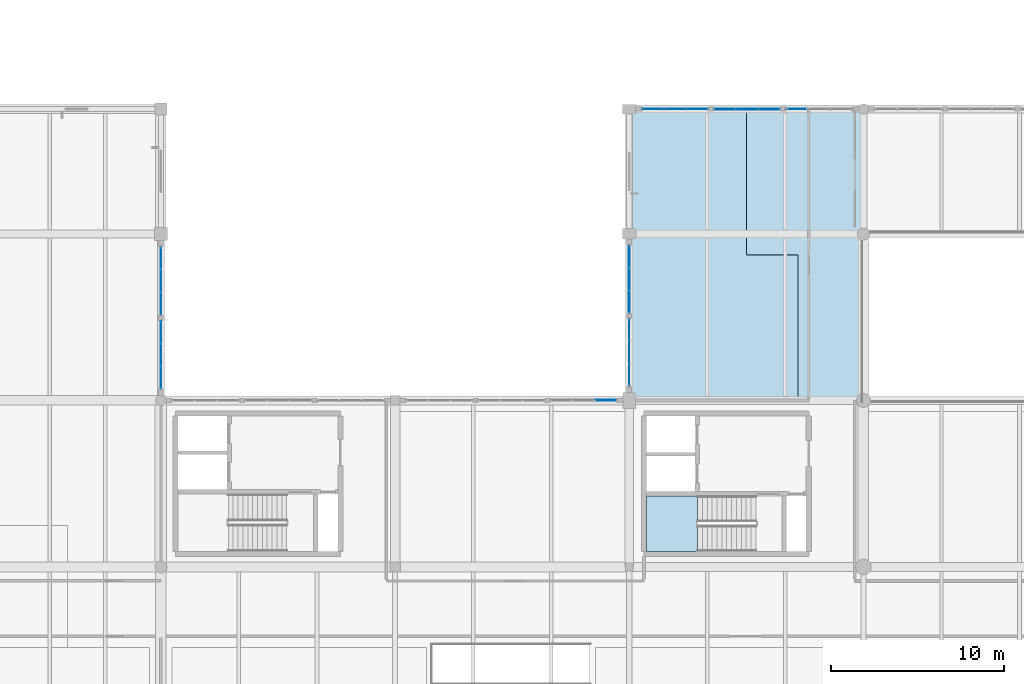
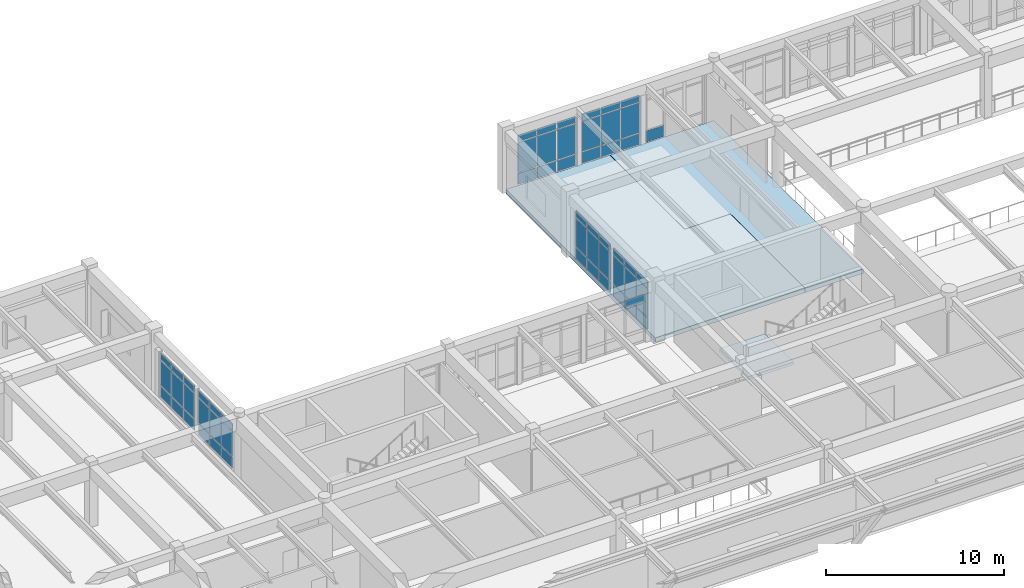
# One storey, part 70 of 109: 56 plates, 3 slabs, 9 elements without a shape of their own.
"""IFC4 building model written with IfcOpenShell, lengths in metres."""

from ifc_helpers import new_model, si_unit, direction, frame, origin, origin_2d, place, context, subcontext, project, spatial, polyline, rectangle, outline, extrude, material, layer, layer_set, type_object, element, aggregate, save


model = new_model("IFC4")

# Units and contexts
model_context = context("Model", 3, precision=1e-05, world=origin(), true_north=direction((0.0, 1.0)))
body_context = subcontext(model_context, "Body", "Model", "MODEL_VIEW")
ifc_project = project(units=[si_unit("LENGTHUNIT", "METRE"), si_unit("AREAUNIT", "SQUARE_METRE"), si_unit("VOLUMEUNIT", "CUBIC_METRE"), si_unit("PLANEANGLEUNIT", "RADIAN"), si_unit("MASSUNIT", "GRAM", prefix="KILO")], contexts=[model_context])

# Site, building, storey
site_placement = place(None, origin())
site = spatial("IfcSite", under=ifc_project, at=site_placement, CompositionType="ELEMENT")
building_placement = place(site_placement, origin())
building = spatial("IfcBuilding", under=site, at=building_placement, Name="Fikremerkos Civic Library", CompositionType="ELEMENT")
storey_placement = place(building_placement, frame((0.0, 0.0, 5.39990234375)))
storey = spatial("IfcBuildingStorey", under=building, at=storey_placement, Name="L01", CompositionType="ELEMENT", Elevation=5.39990234375)

# Curtain wall, plates
ifc_material_1 = material(Name="Anodized aluminium Frame", Category="aluminium")
ifc_layer_1 = layer(ifc_material_1, 0.159912109375, Name="Anodized aluminium Frame")
ifc_layer_set_1 = layer_set([ifc_layer_1], Name="Anodized aluminium Frame")
curtain_wall_type_1 = type_object("IfcCurtainWallType", Name="Unitised curtain wall CW-01 3600x3600", PredefinedType="USERDEFINED", material=ifc_layer_set_1)
curtain_wall_1_placement = place(storey_placement, origin())
curtain_wall_1 = element("IfcCurtainWall", 1, at=curtain_wall_1_placement, inside=storey, type_object=curtain_wall_type_1, Name="Unitised curtain wall CW-01 L01 #73", ObjectType="UNITISED CURTAIN WALL", PredefinedType="USERDEFINED")
ifc_material_2 = material(Name="Solar control double glazing", Category="glass")
ifc_layer_2 = layer(ifc_material_2, 0.028076171875, Name="Solar control double glazing")
ifc_layer_set_2 = layer_set([ifc_layer_2], Name="Solar control double glazing")
plate_type_1 = type_object("IfcPlateType", Name="Curtain glazing panel CWP-01 28", PredefinedType="CURTAIN_PANEL", material=ifc_layer_set_2)
plate_1_placement = place(storey_placement, frame((19.199951171875, 39.39990234375, 0.070068359375), z_axis=(0.0, 0.0, 1.0), x_axis=(0.0, -1.0, 0.0)))
plate_1 = element("IfcPlate", 2, at=plate_1_placement, type_object=plate_type_1, Name="CW-01 panel 1.1", PredefinedType="CURTAIN_PANEL", context=body_context, shape_type="SweptSolid", body=[
    extrude(rectangle(XDim=1.22412109375, YDim=0.028076171875, at=origin_2d()), origin(), (0.0, 0.0, 1.0), 0.7451171875),
])
plate_2_placement = place(storey_placement, frame((19.199951171875, 39.39990234375, 0.88525390625), z_axis=(0.0, 0.0, 1.0), x_axis=(0.0, -1.0, 0.0)))
plate_2 = element("IfcPlate", 3, at=plate_2_placement, type_object=plate_type_1, Name="CW-01 panel 1.2", PredefinedType="CURTAIN_PANEL", context=body_context, shape_type="SweptSolid", body=[
    extrude(rectangle(XDim=1.22412109375, YDim=0.028076171875, at=origin_2d()), origin(), (0.0, 0.0, 1.0), 1.699951171875),
])
plate_3_placement = place(storey_placement, frame((19.199951171875, 39.39990234375, 2.6552734375), z_axis=(0.0, 0.0, 1.0), x_axis=(0.0, -1.0, 0.0)))
plate_3 = element("IfcPlate", 4, at=plate_3_placement, type_object=plate_type_1, Name="CW-01 panel 1.3", PredefinedType="CURTAIN_PANEL", context=body_context, shape_type="SweptSolid", body=[
    extrude(rectangle(XDim=1.22412109375, YDim=0.028076171875, at=origin_2d()), origin(), (0.0, 0.0, 1.0), 0.445068359375),
])
plate_4_placement = place(storey_placement, frame((19.199951171875, 38.0947265625, 0.070068359375), z_axis=(0.0, 0.0, 1.0), x_axis=(0.0, -1.0, 0.0)))
plate_4 = element("IfcPlate", 5, at=plate_4_placement, type_object=plate_type_1, Name="CW-01 panel 2.1", PredefinedType="CURTAIN_PANEL", context=body_context, shape_type="SweptSolid", body=[
    extrude(rectangle(XDim=1.256591796875, YDim=0.028076171875, at=origin_2d()), origin(), (0.0, 0.0, 1.0), 0.7451171875),
])
plate_5_placement = place(storey_placement, frame((19.199951171875, 38.0947265625, 0.88525390625), z_axis=(0.0, 0.0, 1.0), x_axis=(0.0, -1.0, 0.0)))
plate_5 = element("IfcPlate", 6, at=plate_5_placement, type_object=plate_type_1, Name="CW-01 panel 2.2", PredefinedType="CURTAIN_PANEL", context=body_context, shape_type="SweptSolid", body=[
    extrude(rectangle(XDim=1.256591796875, YDim=0.028076171875, at=origin_2d()), origin(), (0.0, 0.0, 1.0), 1.699951171875),
])
plate_6_placement = place(storey_placement, frame((19.199951171875, 38.0947265625, 2.6552734375), z_axis=(0.0, 0.0, 1.0), x_axis=(0.0, -1.0, 0.0)))
plate_6 = element("IfcPlate", 7, at=plate_6_placement, type_object=plate_type_1, Name="CW-01 panel 2.3", PredefinedType="CURTAIN_PANEL", context=body_context, shape_type="SweptSolid", body=[
    extrude(rectangle(XDim=1.256591796875, YDim=0.028076171875, at=origin_2d()), origin(), (0.0, 0.0, 1.0), 0.445068359375),
])
plate_7_placement = place(storey_placement, frame((19.199951171875, 36.78955078125, 0.070068359375), z_axis=(0.0, 0.0, 1.0), x_axis=(0.0, -1.0, 0.0)))
plate_7 = element("IfcPlate", 8, at=plate_7_placement, type_object=plate_type_1, Name="CW-01 panel 3.1", PredefinedType="CURTAIN_PANEL", context=body_context, shape_type="SweptSolid", body=[
    extrude(rectangle(XDim=1.22412109375, YDim=0.028076171875, at=origin_2d()), origin(), (0.0, 0.0, 1.0), 0.7451171875),
])
plate_8_placement = place(storey_placement, frame((19.199951171875, 36.78955078125, 0.88525390625), z_axis=(0.0, 0.0, 1.0), x_axis=(0.0, -1.0, 0.0)))
plate_8 = element("IfcPlate", 9, at=plate_8_placement, type_object=plate_type_1, Name="CW-01 panel 3.2", PredefinedType="CURTAIN_PANEL", context=body_context, shape_type="SweptSolid", body=[
    extrude(rectangle(XDim=1.22412109375, YDim=0.028076171875, at=origin_2d()), origin(), (0.0, 0.0, 1.0), 1.699951171875),
])
plate_9_placement = place(storey_placement, frame((19.199951171875, 36.78955078125, 2.6552734375), z_axis=(0.0, 0.0, 1.0), x_axis=(0.0, -1.0, 0.0)))
plate_9 = element("IfcPlate", 10, at=plate_9_placement, type_object=plate_type_1, Name="CW-01 panel 3.3", PredefinedType="CURTAIN_PANEL", context=body_context, shape_type="SweptSolid", body=[
    extrude(rectangle(XDim=1.22412109375, YDim=0.028076171875, at=origin_2d()), origin(), (0.0, 0.0, 1.0), 0.445068359375),
])
aggregate(curtain_wall_1, [plate_1, plate_2, plate_3, plate_4, plate_5, plate_6, plate_7, plate_8, plate_9])

ifc_layer_3 = layer(ifc_material_1, 0.159912109375, Name="Anodized aluminium Frame")
ifc_layer_set_3 = layer_set([ifc_layer_3], Name="Anodized aluminium Frame")
curtain_wall_type_2 = type_object("IfcCurtainWallType", Name="Unitised curtain wall CW-09 3600x3400", PredefinedType="USERDEFINED", material=ifc_layer_set_3)
curtain_wall_2_placement = place(storey_placement, origin())
curtain_wall_2 = element("IfcCurtainWall", 11, at=curtain_wall_2_placement, inside=storey, type_object=curtain_wall_type_2, Name="Unitised curtain wall CW-09 L01 #81", ObjectType="UNITISED CURTAIN WALL", PredefinedType="USERDEFINED")
plate_10_placement = place(storey_placement, frame((46.199951171875, 32.668701171875, 0.070068359375), z_axis=(0.0, 0.0, 1.0), x_axis=(0.0, 1.0, 0.0)))
plate_10 = element("IfcPlate", 12, at=plate_10_placement, type_object=plate_type_1, Name="CW-09 panel 1.1", PredefinedType="CURTAIN_PANEL", context=body_context, shape_type="SweptSolid", body=[
    extrude(rectangle(XDim=1.21142578125, YDim=0.028076171875, at=origin_2d()), origin(), (0.0, 0.0, 1.0), 0.7451171875),
])
plate_11_placement = place(storey_placement, frame((46.199951171875, 32.668701171875, 0.88525390625), z_axis=(0.0, 0.0, 1.0), x_axis=(0.0, 1.0, 0.0)))
plate_11 = element("IfcPlate", 13, at=plate_11_placement, type_object=plate_type_1, Name="CW-09 panel 1.2", PredefinedType="CURTAIN_PANEL", context=body_context, shape_type="SweptSolid", body=[
    extrude(rectangle(XDim=1.21142578125, YDim=0.028076171875, at=origin_2d()), origin(), (0.0, 0.0, 1.0), 1.949951171875),
])
plate_12_placement = place(storey_placement, frame((46.199951171875, 32.668701171875, 2.9052734375), z_axis=(0.0, 0.0, 1.0), x_axis=(0.0, 1.0, 0.0)))
plate_12 = element("IfcPlate", 14, at=plate_12_placement, type_object=plate_type_1, Name="CW-09 panel 1.3", PredefinedType="CURTAIN_PANEL", context=body_context, shape_type="SweptSolid", body=[
    extrude(rectangle(XDim=1.21142578125, YDim=0.028076171875, at=origin_2d()), origin(), (0.0, 0.0, 1.0), 0.445068359375),
])
plate_13_placement = place(storey_placement, frame((46.199951171875, 33.96142578125, 0.070068359375), z_axis=(0.0, 0.0, 1.0), x_axis=(0.0, 1.0, 0.0)))
plate_13 = element("IfcPlate", 15, at=plate_13_placement, type_object=plate_type_1, Name="CW-09 panel 2.1", PredefinedType="CURTAIN_PANEL", context=body_context, shape_type="SweptSolid", body=[
    extrude(rectangle(XDim=1.243896484375, YDim=0.028076171875, at=origin_2d()), origin(), (0.0, 0.0, 1.0), 0.7451171875),
])
plate_14_placement = place(storey_placement, frame((46.199951171875, 33.96142578125, 0.88525390625), z_axis=(0.0, 0.0, 1.0), x_axis=(0.0, 1.0, 0.0)))
plate_14 = element("IfcPlate", 16, at=plate_14_placement, type_object=plate_type_1, Name="CW-09 panel 2.2", PredefinedType="CURTAIN_PANEL", context=body_context, shape_type="SweptSolid", body=[
    extrude(rectangle(XDim=1.243896484375, YDim=0.028076171875, at=origin_2d()), origin(), (0.0, 0.0, 1.0), 1.949951171875),
])
plate_15_placement = place(storey_placement, frame((46.199951171875, 33.96142578125, 2.9052734375), z_axis=(0.0, 0.0, 1.0), x_axis=(0.0, 1.0, 0.0)))
plate_15 = element("IfcPlate", 17, at=plate_15_placement, type_object=plate_type_1, Name="CW-09 panel 2.3", PredefinedType="CURTAIN_PANEL", context=body_context, shape_type="SweptSolid", body=[
    extrude(rectangle(XDim=1.243896484375, YDim=0.028076171875, at=origin_2d()), origin(), (0.0, 0.0, 1.0), 0.445068359375),
])
plate_16_placement = place(storey_placement, frame((46.199951171875, 35.254150390625, 0.070068359375), z_axis=(0.0, 0.0, 1.0), x_axis=(0.0, 1.0, 0.0)))
plate_16 = element("IfcPlate", 18, at=plate_16_placement, type_object=plate_type_1, Name="CW-09 panel 3.1", PredefinedType="CURTAIN_PANEL", context=body_context, shape_type="SweptSolid", body=[
    extrude(rectangle(XDim=1.21142578125, YDim=0.028076171875, at=origin_2d()), origin(), (0.0, 0.0, 1.0), 0.7451171875),
])
plate_17_placement = place(storey_placement, frame((46.199951171875, 35.254150390625, 0.88525390625), z_axis=(0.0, 0.0, 1.0), x_axis=(0.0, 1.0, 0.0)))
plate_17 = element("IfcPlate", 19, at=plate_17_placement, type_object=plate_type_1, Name="CW-09 panel 3.2", PredefinedType="CURTAIN_PANEL", context=body_context, shape_type="SweptSolid", body=[
    extrude(rectangle(XDim=1.21142578125, YDim=0.028076171875, at=origin_2d()), origin(), (0.0, 0.0, 1.0), 1.949951171875),
])
plate_18_placement = place(storey_placement, frame((46.199951171875, 35.254150390625, 2.9052734375), z_axis=(0.0, 0.0, 1.0), x_axis=(0.0, 1.0, 0.0)))
plate_18 = element("IfcPlate", 20, at=plate_18_placement, type_object=plate_type_1, Name="CW-09 panel 3.3", PredefinedType="CURTAIN_PANEL", context=body_context, shape_type="SweptSolid", body=[
    extrude(rectangle(XDim=1.21142578125, YDim=0.028076171875, at=origin_2d()), origin(), (0.0, 0.0, 1.0), 0.445068359375),
])
aggregate(curtain_wall_2, [plate_10, plate_11, plate_12, plate_13, plate_14, plate_15, plate_16, plate_17, plate_18])

# Curtain wall, plate
ifc_layer_4 = layer(ifc_material_1, 0.159912109375, Name="Anodized aluminium Frame")
ifc_layer_set_4 = layer_set([ifc_layer_4], Name="Anodized aluminium Frame")
curtain_wall_type_3 = type_object("IfcCurtainWallType", Name="Unitised curtain wall CW-13 3700x3200", PredefinedType="USERDEFINED", material=ifc_layer_set_4)
curtain_wall_3_placement = place(storey_placement, origin())
curtain_wall_3 = element("IfcCurtainWall", 21, at=curtain_wall_3_placement, inside=storey, type_object=curtain_wall_type_3, Name="Unitised curtain wall CW-13 L01 #85", ObjectType="UNITISED CURTAIN WALL", PredefinedType="USERDEFINED")
plate_19_placement = place(storey_placement, frame((55.86572265625, 48.0, 0.06005859375), z_axis=(0.0, 0.0, 1.0), x_axis=(1.0, 0.0, 0.0)))
plate_19 = element("IfcPlate", 22, at=plate_19_placement, type_object=plate_type_1, Name="CW-13 panel 1.1", PredefinedType="CURTAIN_PANEL", context=body_context, shape_type="SweptSolid", body=[
    extrude(rectangle(XDim=1.18359375, YDim=0.028076171875, at=origin_2d()), origin(), (0.0, 0.0, 1.0), 0.760009765625),
])
aggregate(curtain_wall_3, [plate_19])

# Curtain wall, plates
ifc_layer_5 = layer(ifc_material_1, 0.159912109375, Name="Anodized aluminium Frame")
ifc_layer_set_5 = layer_set([ifc_layer_5], Name="Anodized aluminium Frame")
curtain_wall_type_4 = type_object("IfcCurtainWallType", Name="Unitised curtain wall CW-02 3900x3600", PredefinedType="USERDEFINED", material=ifc_layer_set_5)
curtain_wall_4_placement = place(storey_placement, origin())
curtain_wall_4 = element("IfcCurtainWall", 23, at=curtain_wall_4_placement, inside=storey, type_object=curtain_wall_type_4, Name="Unitised curtain wall CW-02 L01 #74", ObjectType="UNITISED CURTAIN WALL", PredefinedType="USERDEFINED")
ifc_layer_6 = layer(ifc_material_2, 0.035888671875, Name="Solar control double glazing")
ifc_layer_set_6 = layer_set([ifc_layer_6], Name="Solar control double glazing")
plate_type_2 = type_object("IfcPlateType", Name="Curtain glazing panel CWP-02 36", PredefinedType="CURTAIN_PANEL", material=ifc_layer_set_6)
plate_20_placement = place(storey_placement, frame((19.199951171875, 35.13671875, 0.070068359375), z_axis=(0.0, 0.0, 1.0), x_axis=(0.0, -1.0, 0.0)))
plate_20 = element("IfcPlate", 24, at=plate_20_placement, type_object=plate_type_2, Name="CW-02 panel 1.1", PredefinedType="CURTAIN_PANEL", context=body_context, shape_type="SweptSolid", body=[
    extrude(rectangle(XDim=1.2314453125, YDim=0.035888671875, at=origin_2d()), origin(), (0.0, 0.0, 1.0), 0.7451171875),
])
plate_21_placement = place(storey_placement, frame((19.199951171875, 35.13671875, 0.88525390625), z_axis=(0.0, 0.0, 1.0), x_axis=(0.0, -1.0, 0.0)))
plate_21 = element("IfcPlate", 25, at=plate_21_placement, type_object=plate_type_2, Name="CW-02 panel 1.2", PredefinedType="CURTAIN_PANEL", context=body_context, shape_type="SweptSolid", body=[
    extrude(rectangle(XDim=1.2314453125, YDim=0.035888671875, at=origin_2d()), origin(), (0.0, 0.0, 1.0), 1.699951171875),
])
plate_22_placement = place(storey_placement, frame((19.199951171875, 35.13671875, 2.6552734375), z_axis=(0.0, 0.0, 1.0), x_axis=(0.0, -1.0, 0.0)))
plate_22 = element("IfcPlate", 26, at=plate_22_placement, type_object=plate_type_2, Name="CW-02 panel 1.3", PredefinedType="CURTAIN_PANEL", context=body_context, shape_type="SweptSolid", body=[
    extrude(rectangle(XDim=1.2314453125, YDim=0.035888671875, at=origin_2d()), origin(), (0.0, 0.0, 1.0), 0.445068359375),
])
plate_23_placement = place(storey_placement, frame((19.199951171875, 33.830322265625, 0.070068359375), z_axis=(0.0, 0.0, 1.0), x_axis=(0.0, -1.0, 0.0)))
plate_23 = element("IfcPlate", 27, at=plate_23_placement, type_object=plate_type_2, Name="CW-02 panel 2.1", PredefinedType="CURTAIN_PANEL", context=body_context, shape_type="SweptSolid", body=[
    extrude(rectangle(XDim=1.261474609375, YDim=0.035888671875, at=origin_2d()), origin(), (0.0, 0.0, 1.0), 0.7451171875),
])
plate_24_placement = place(storey_placement, frame((19.199951171875, 33.830322265625, 0.88525390625), z_axis=(0.0, 0.0, 1.0), x_axis=(0.0, -1.0, 0.0)))
plate_24 = element("IfcPlate", 28, at=plate_24_placement, type_object=plate_type_2, Name="CW-02 panel 2.2", PredefinedType="CURTAIN_PANEL", context=body_context, shape_type="SweptSolid", body=[
    extrude(rectangle(XDim=1.261474609375, YDim=0.035888671875, at=origin_2d()), origin(), (0.0, 0.0, 1.0), 1.699951171875),
])
plate_25_placement = place(storey_placement, frame((19.199951171875, 33.830322265625, 2.6552734375), z_axis=(0.0, 0.0, 1.0), x_axis=(0.0, -1.0, 0.0)))
plate_25 = element("IfcPlate", 29, at=plate_25_placement, type_object=plate_type_2, Name="CW-02 panel 2.3", PredefinedType="CURTAIN_PANEL", context=body_context, shape_type="SweptSolid", body=[
    extrude(rectangle(XDim=1.261474609375, YDim=0.035888671875, at=origin_2d()), origin(), (0.0, 0.0, 1.0), 0.445068359375),
])
plate_26_placement = place(storey_placement, frame((19.199951171875, 32.523681640625, 0.070068359375), z_axis=(0.0, 0.0, 1.0), x_axis=(0.0, -1.0, 0.0)))
plate_26 = element("IfcPlate", 30, at=plate_26_placement, type_object=plate_type_2, Name="CW-02 panel 3.1", PredefinedType="CURTAIN_PANEL", context=body_context, shape_type="SweptSolid", body=[
    extrude(rectangle(XDim=1.2314453125, YDim=0.035888671875, at=origin_2d()), origin(), (0.0, 0.0, 1.0), 0.7451171875),
])
plate_27_placement = place(storey_placement, frame((19.199951171875, 32.523681640625, 0.88525390625), z_axis=(0.0, 0.0, 1.0), x_axis=(0.0, -1.0, 0.0)))
plate_27 = element("IfcPlate", 31, at=plate_27_placement, type_object=plate_type_2, Name="CW-02 panel 3.2", PredefinedType="CURTAIN_PANEL", context=body_context, shape_type="SweptSolid", body=[
    extrude(rectangle(XDim=1.2314453125, YDim=0.035888671875, at=origin_2d()), origin(), (0.0, 0.0, 1.0), 1.699951171875),
])
plate_28_placement = place(storey_placement, frame((19.199951171875, 32.523681640625, 2.6552734375), z_axis=(0.0, 0.0, 1.0), x_axis=(0.0, -1.0, 0.0)))
plate_28 = element("IfcPlate", 32, at=plate_28_placement, type_object=plate_type_2, Name="CW-02 panel 3.3", PredefinedType="CURTAIN_PANEL", context=body_context, shape_type="SweptSolid", body=[
    extrude(rectangle(XDim=1.2314453125, YDim=0.035888671875, at=origin_2d()), origin(), (0.0, 0.0, 1.0), 0.445068359375),
])
aggregate(curtain_wall_4, [plate_20, plate_21, plate_22, plate_23, plate_24, plate_25, plate_26, plate_27, plate_28])

ifc_layer_7 = layer(ifc_material_1, 0.159912109375, Name="Anodized aluminium Frame")
ifc_layer_set_7 = layer_set([ifc_layer_7], Name="Anodized aluminium Frame")
curtain_wall_type_5 = type_object("IfcCurtainWallType", Name="Unitised curtain wall CW-10 4000x3400", PredefinedType="USERDEFINED", material=ifc_layer_set_7)
curtain_wall_5_placement = place(storey_placement, origin())
curtain_wall_5 = element("IfcCurtainWall", 33, at=curtain_wall_5_placement, inside=storey, type_object=curtain_wall_type_5, Name="Unitised curtain wall CW-10 L01 #82", ObjectType="UNITISED CURTAIN WALL", PredefinedType="USERDEFINED")
plate_29_placement = place(storey_placement, frame((46.199951171875, 36.89453125, 0.070068359375), z_axis=(0.0, 0.0, 1.0), x_axis=(0.0, 1.0, 0.0)))
plate_29 = element("IfcPlate", 34, at=plate_29_placement, type_object=plate_type_2, Name="CW-10 panel 1.1", PredefinedType="CURTAIN_PANEL", context=body_context, shape_type="SweptSolid", body=[
    extrude(rectangle(XDim=1.218994140625, YDim=0.035888671875, at=origin_2d()), origin(), (0.0, 0.0, 1.0), 0.7451171875),
])
plate_30_placement = place(storey_placement, frame((46.199951171875, 36.89453125, 0.88525390625), z_axis=(0.0, 0.0, 1.0), x_axis=(0.0, 1.0, 0.0)))
plate_30 = element("IfcPlate", 35, at=plate_30_placement, type_object=plate_type_2, Name="CW-10 panel 1.2", PredefinedType="CURTAIN_PANEL", context=body_context, shape_type="SweptSolid", body=[
    extrude(rectangle(XDim=1.218994140625, YDim=0.035888671875, at=origin_2d()), origin(), (0.0, 0.0, 1.0), 1.949951171875),
])
plate_31_placement = place(storey_placement, frame((46.199951171875, 36.89453125, 2.9052734375), z_axis=(0.0, 0.0, 1.0), x_axis=(0.0, 1.0, 0.0)))
plate_31 = element("IfcPlate", 36, at=plate_31_placement, type_object=plate_type_2, Name="CW-10 panel 1.3", PredefinedType="CURTAIN_PANEL", context=body_context, shape_type="SweptSolid", body=[
    extrude(rectangle(XDim=1.218994140625, YDim=0.035888671875, at=origin_2d()), origin(), (0.0, 0.0, 1.0), 0.445068359375),
])
plate_32_placement = place(storey_placement, frame((46.199951171875, 38.1884765625, 0.070068359375), z_axis=(0.0, 0.0, 1.0), x_axis=(0.0, 1.0, 0.0)))
plate_32 = element("IfcPlate", 37, at=plate_32_placement, type_object=plate_type_2, Name="CW-10 panel 2.1", PredefinedType="CURTAIN_PANEL", context=body_context, shape_type="SweptSolid", body=[
    extrude(rectangle(XDim=1.2490234375, YDim=0.035888671875, at=origin_2d()), origin(), (0.0, 0.0, 1.0), 0.7451171875),
])
plate_33_placement = place(storey_placement, frame((46.199951171875, 38.1884765625, 0.88525390625), z_axis=(0.0, 0.0, 1.0), x_axis=(0.0, 1.0, 0.0)))
plate_33 = element("IfcPlate", 38, at=plate_33_placement, type_object=plate_type_2, Name="CW-10 panel 2.2", PredefinedType="CURTAIN_PANEL", context=body_context, shape_type="SweptSolid", body=[
    extrude(rectangle(XDim=1.2490234375, YDim=0.035888671875, at=origin_2d()), origin(), (0.0, 0.0, 1.0), 1.949951171875),
])
plate_34_placement = place(storey_placement, frame((46.199951171875, 38.1884765625, 2.9052734375), z_axis=(0.0, 0.0, 1.0), x_axis=(0.0, 1.0, 0.0)))
plate_34 = element("IfcPlate", 39, at=plate_34_placement, type_object=plate_type_2, Name="CW-10 panel 2.3", PredefinedType="CURTAIN_PANEL", context=body_context, shape_type="SweptSolid", body=[
    extrude(rectangle(XDim=1.2490234375, YDim=0.035888671875, at=origin_2d()), origin(), (0.0, 0.0, 1.0), 0.445068359375),
])
plate_35_placement = place(storey_placement, frame((46.199951171875, 39.482421875, 0.070068359375), z_axis=(0.0, 0.0, 1.0), x_axis=(0.0, 1.0, 0.0)))
plate_35 = element("IfcPlate", 40, at=plate_35_placement, type_object=plate_type_2, Name="CW-10 panel 3.1", PredefinedType="CURTAIN_PANEL", context=body_context, shape_type="SweptSolid", body=[
    extrude(rectangle(XDim=1.218994140625, YDim=0.035888671875, at=origin_2d()), origin(), (0.0, 0.0, 1.0), 0.7451171875),
])
plate_36_placement = place(storey_placement, frame((46.199951171875, 39.482421875, 0.88525390625), z_axis=(0.0, 0.0, 1.0), x_axis=(0.0, 1.0, 0.0)))
plate_36 = element("IfcPlate", 41, at=plate_36_placement, type_object=plate_type_2, Name="CW-10 panel 3.2", PredefinedType="CURTAIN_PANEL", context=body_context, shape_type="SweptSolid", body=[
    extrude(rectangle(XDim=1.218994140625, YDim=0.035888671875, at=origin_2d()), origin(), (0.0, 0.0, 1.0), 1.949951171875),
])
plate_37_placement = place(storey_placement, frame((46.199951171875, 39.482421875, 2.9052734375), z_axis=(0.0, 0.0, 1.0), x_axis=(0.0, 1.0, 0.0)))
plate_37 = element("IfcPlate", 42, at=plate_37_placement, type_object=plate_type_2, Name="CW-10 panel 3.3", PredefinedType="CURTAIN_PANEL", context=body_context, shape_type="SweptSolid", body=[
    extrude(rectangle(XDim=1.218994140625, YDim=0.035888671875, at=origin_2d()), origin(), (0.0, 0.0, 1.0), 0.445068359375),
])
aggregate(curtain_wall_5, [plate_29, plate_30, plate_31, plate_32, plate_33, plate_34, plate_35, plate_36, plate_37])

ifc_layer_8 = layer(ifc_material_1, 0.159912109375, Name="Anodized aluminium Frame")
ifc_layer_set_8 = layer_set([ifc_layer_8], Name="Anodized aluminium Frame")
curtain_wall_type_6 = type_object("IfcCurtainWallType", Name="Unitised curtain wall CW-11 3200x3400", PredefinedType="USERDEFINED", material=ifc_layer_set_8)
curtain_wall_6_placement = place(storey_placement, origin())
curtain_wall_6 = element("IfcCurtainWall", 43, at=curtain_wall_6_placement, inside=storey, type_object=curtain_wall_type_6, Name="Unitised curtain wall CW-11 L01 #83", ObjectType="UNITISED CURTAIN WALL", PredefinedType="USERDEFINED")
ifc_material_3 = material(Name="Insulated aluminium spandrel", Category="aluminium")
ifc_layer_9 = layer(ifc_material_3, 0.044921875, Name="Insulated aluminium spandrel")
ifc_layer_set_9 = layer_set([ifc_layer_9], Name="Insulated aluminium spandrel")
plate_type_3 = type_object("IfcPlateType", Name="Curtain spandrel panel CSP-01 45", PredefinedType="CURTAIN_PANEL", material=ifc_layer_set_9)
plate_38_placement = place(storey_placement, frame((47.57861328125, 48.0, 0.065185546875), z_axis=(0.0, 0.0, 1.0), x_axis=(1.0, 0.0, 0.0)))
plate_38 = element("IfcPlate", 44, at=plate_38_placement, type_object=plate_type_3, Name="CW-11 panel 1.1", PredefinedType="CURTAIN_PANEL", context=body_context, shape_type="SweptSolid", body=[
    extrude(rectangle(XDim=1.19091796875, YDim=0.044921875, at=origin_2d()), origin(), (0.0, 0.0, 1.0), 0.75244140625),
])
plate_39_placement = place(storey_placement, frame((47.57861328125, 48.0, 0.882568359375), z_axis=(0.0, 0.0, 1.0), x_axis=(1.0, 0.0, 0.0)))
plate_39 = element("IfcPlate", 45, at=plate_39_placement, type_object=plate_type_3, Name="CW-11 panel 1.2", PredefinedType="CURTAIN_PANEL", context=body_context, shape_type="SweptSolid", body=[
    extrude(rectangle(XDim=1.19091796875, YDim=0.044921875, at=origin_2d()), origin(), (0.0, 0.0, 1.0), 2.044921875),
])
plate_40_placement = place(storey_placement, frame((47.57861328125, 48.0, 2.99267578125), z_axis=(0.0, 0.0, 1.0), x_axis=(1.0, 0.0, 0.0)))
plate_40 = element("IfcPlate", 46, at=plate_40_placement, type_object=plate_type_3, Name="CW-11 panel 1.3", PredefinedType="CURTAIN_PANEL", context=body_context, shape_type="SweptSolid", body=[
    extrude(rectangle(XDim=1.19091796875, YDim=0.044921875, at=origin_2d()), origin(), (0.0, 0.0, 1.0), 0.452392578125),
])
plate_41_placement = place(storey_placement, frame((48.844482421875, 48.0, 0.065185546875), z_axis=(0.0, 0.0, 1.0), x_axis=(1.0, 0.0, 0.0)))
plate_41 = element("IfcPlate", 47, at=plate_41_placement, type_object=plate_type_3, Name="CW-11 panel 2.1", PredefinedType="CURTAIN_PANEL", context=body_context, shape_type="SweptSolid", body=[
    extrude(rectangle(XDim=1.220947265625, YDim=0.044921875, at=origin_2d()), origin(), (0.0, 0.0, 1.0), 0.75244140625),
])
plate_42_placement = place(storey_placement, frame((48.844482421875, 48.0, 0.882568359375), z_axis=(0.0, 0.0, 1.0), x_axis=(1.0, 0.0, 0.0)))
plate_42 = element("IfcPlate", 48, at=plate_42_placement, type_object=plate_type_3, Name="CW-11 panel 2.2", PredefinedType="CURTAIN_PANEL", context=body_context, shape_type="SweptSolid", body=[
    extrude(rectangle(XDim=1.220947265625, YDim=0.044921875, at=origin_2d()), origin(), (0.0, 0.0, 1.0), 2.044921875),
])
plate_43_placement = place(storey_placement, frame((48.844482421875, 48.0, 2.99267578125), z_axis=(0.0, 0.0, 1.0), x_axis=(1.0, 0.0, 0.0)))
plate_43 = element("IfcPlate", 49, at=plate_43_placement, type_object=plate_type_3, Name="CW-11 panel 2.3", PredefinedType="CURTAIN_PANEL", context=body_context, shape_type="SweptSolid", body=[
    extrude(rectangle(XDim=1.220947265625, YDim=0.044921875, at=origin_2d()), origin(), (0.0, 0.0, 1.0), 0.452392578125),
])
plate_44_placement = place(storey_placement, frame((50.110595703125, 48.0, 0.065185546875), z_axis=(0.0, 0.0, 1.0), x_axis=(1.0, 0.0, 0.0)))
plate_44 = element("IfcPlate", 50, at=plate_44_placement, type_object=plate_type_3, Name="CW-11 panel 3.1", PredefinedType="CURTAIN_PANEL", context=body_context, shape_type="SweptSolid", body=[
    extrude(rectangle(XDim=1.19091796875, YDim=0.044921875, at=origin_2d()), origin(), (0.0, 0.0, 1.0), 0.75244140625),
])
plate_45_placement = place(storey_placement, frame((50.110595703125, 48.0, 0.882568359375), z_axis=(0.0, 0.0, 1.0), x_axis=(1.0, 0.0, 0.0)))
plate_45 = element("IfcPlate", 51, at=plate_45_placement, type_object=plate_type_3, Name="CW-11 panel 3.2", PredefinedType="CURTAIN_PANEL", context=body_context, shape_type="SweptSolid", body=[
    extrude(rectangle(XDim=1.19091796875, YDim=0.044921875, at=origin_2d()), origin(), (0.0, 0.0, 1.0), 2.044921875),
])
plate_46_placement = place(storey_placement, frame((50.110595703125, 48.0, 2.99267578125), z_axis=(0.0, 0.0, 1.0), x_axis=(1.0, 0.0, 0.0)))
plate_46 = element("IfcPlate", 52, at=plate_46_placement, type_object=plate_type_3, Name="CW-11 panel 3.3", PredefinedType="CURTAIN_PANEL", context=body_context, shape_type="SweptSolid", body=[
    extrude(rectangle(XDim=1.19091796875, YDim=0.044921875, at=origin_2d()), origin(), (0.0, 0.0, 1.0), 0.452392578125),
])
aggregate(curtain_wall_6, [plate_38, plate_39, plate_40, plate_41, plate_42, plate_43, plate_44, plate_45, plate_46])

# Curtain wall, plate
ifc_layer_10 = layer(ifc_material_1, 0.159912109375, Name="Anodized aluminium Frame")
ifc_layer_set_10 = layer_set([ifc_layer_10], Name="Anodized aluminium Frame")
curtain_wall_type_7 = type_object("IfcCurtainWallType", Name="Unitised curtain wall CW-08 4500x4100", PredefinedType="USERDEFINED", material=ifc_layer_set_10)
curtain_wall_7_placement = place(storey_placement, origin())
curtain_wall_7 = element("IfcCurtainWall", 53, at=curtain_wall_7_placement, inside=storey, type_object=curtain_wall_type_7, Name="Unitised curtain wall CW-08 L01 #80", ObjectType="UNITISED CURTAIN WALL", PredefinedType="USERDEFINED")
ifc_layer_11 = layer(ifc_material_3, 0.054931640625, Name="Insulated aluminium spandrel")
ifc_layer_set_11 = layer_set([ifc_layer_11], Name="Insulated aluminium spandrel")
plate_type_4 = type_object("IfcPlateType", Name="Curtain spandrel panel CSP-02 55", PredefinedType="CURTAIN_PANEL", material=ifc_layer_set_11)
plate_47_placement = place(storey_placement, frame((44.84375, 31.199951171875, 2.80517578125), z_axis=(0.0, 0.0, 1.0), x_axis=(1.0, 0.0, 0.0)))
plate_47 = element("IfcPlate", 54, at=plate_47_placement, type_object=plate_type_4, Name="CW-08 panel 3.3", PredefinedType="CURTAIN_PANEL", context=body_context, shape_type="SweptSolid", body=[
    extrude(rectangle(XDim=1.196533203125, YDim=0.054931640625, at=origin_2d()), origin(), (0.0, 0.0, 1.0), 0.445068359375),
])
aggregate(curtain_wall_7, [plate_47])

# Curtain wall, plates
ifc_layer_12 = layer(ifc_material_1, 0.159912109375, Name="Anodized aluminium Frame")
ifc_layer_set_12 = layer_set([ifc_layer_12], Name="Anodized aluminium Frame")
curtain_wall_type_8 = type_object("IfcCurtainWallType", Name="Unitised curtain wall CW-12 4300x3400", PredefinedType="USERDEFINED", material=ifc_layer_set_12)
curtain_wall_8_placement = place(storey_placement, origin())
curtain_wall_8 = element("IfcCurtainWall", 55, at=curtain_wall_8_placement, inside=storey, type_object=curtain_wall_type_8, Name="Unitised curtain wall CW-12 L01 #84", ObjectType="UNITISED CURTAIN WALL", PredefinedType="USERDEFINED")
plate_48_placement = place(storey_placement, frame((51.721435546875, 48.0, 0.065185546875), z_axis=(0.0, 0.0, 1.0), x_axis=(1.0, 0.0, 0.0)))
plate_48 = element("IfcPlate", 56, at=plate_48_placement, type_object=plate_type_4, Name="CW-12 panel 1.1", PredefinedType="CURTAIN_PANEL", context=body_context, shape_type="SweptSolid", body=[
    extrude(rectangle(XDim=1.19091796875, YDim=0.054931640625, at=origin_2d()), origin(), (0.0, 0.0, 1.0), 0.75244140625),
])
plate_49_placement = place(storey_placement, frame((51.721435546875, 48.0, 0.882568359375), z_axis=(0.0, 0.0, 1.0), x_axis=(1.0, 0.0, 0.0)))
plate_49 = element("IfcPlate", 57, at=plate_49_placement, type_object=plate_type_4, Name="CW-12 panel 1.2", PredefinedType="CURTAIN_PANEL", context=body_context, shape_type="SweptSolid", body=[
    extrude(rectangle(XDim=1.19091796875, YDim=0.054931640625, at=origin_2d()), origin(), (0.0, 0.0, 1.0), 2.044921875),
])
plate_50_placement = place(storey_placement, frame((51.721435546875, 48.0, 2.99267578125), z_axis=(0.0, 0.0, 1.0), x_axis=(1.0, 0.0, 0.0)))
plate_50 = element("IfcPlate", 58, at=plate_50_placement, type_object=plate_type_4, Name="CW-12 panel 1.3", PredefinedType="CURTAIN_PANEL", context=body_context, shape_type="SweptSolid", body=[
    extrude(rectangle(XDim=1.19091796875, YDim=0.054931640625, at=origin_2d()), origin(), (0.0, 0.0, 1.0), 0.452392578125),
])
plate_51_placement = place(storey_placement, frame((52.987548828125, 48.0, 0.065185546875), z_axis=(0.0, 0.0, 1.0), x_axis=(1.0, 0.0, 0.0)))
plate_51 = element("IfcPlate", 59, at=plate_51_placement, type_object=plate_type_4, Name="CW-12 panel 2.1", PredefinedType="CURTAIN_PANEL", context=body_context, shape_type="SweptSolid", body=[
    extrude(rectangle(XDim=1.220947265625, YDim=0.054931640625, at=origin_2d()), origin(), (0.0, 0.0, 1.0), 0.75244140625),
])
plate_52_placement = place(storey_placement, frame((52.987548828125, 48.0, 0.882568359375), z_axis=(0.0, 0.0, 1.0), x_axis=(1.0, 0.0, 0.0)))
plate_52 = element("IfcPlate", 60, at=plate_52_placement, type_object=plate_type_4, Name="CW-12 panel 2.2", PredefinedType="CURTAIN_PANEL", context=body_context, shape_type="SweptSolid", body=[
    extrude(rectangle(XDim=1.220947265625, YDim=0.054931640625, at=origin_2d()), origin(), (0.0, 0.0, 1.0), 2.044921875),
])
plate_53_placement = place(storey_placement, frame((52.987548828125, 48.0, 2.99267578125), z_axis=(0.0, 0.0, 1.0), x_axis=(1.0, 0.0, 0.0)))
plate_53 = element("IfcPlate", 61, at=plate_53_placement, type_object=plate_type_4, Name="CW-12 panel 2.3", PredefinedType="CURTAIN_PANEL", context=body_context, shape_type="SweptSolid", body=[
    extrude(rectangle(XDim=1.220947265625, YDim=0.054931640625, at=origin_2d()), origin(), (0.0, 0.0, 1.0), 0.452392578125),
])
plate_54_placement = place(storey_placement, frame((54.25341796875, 48.0, 0.065185546875), z_axis=(0.0, 0.0, 1.0), x_axis=(1.0, 0.0, 0.0)))
plate_54 = element("IfcPlate", 62, at=plate_54_placement, type_object=plate_type_4, Name="CW-12 panel 3.1", PredefinedType="CURTAIN_PANEL", context=body_context, shape_type="SweptSolid", body=[
    extrude(rectangle(XDim=1.19091796875, YDim=0.054931640625, at=origin_2d()), origin(), (0.0, 0.0, 1.0), 0.75244140625),
])
plate_55_placement = place(storey_placement, frame((54.25341796875, 48.0, 0.882568359375), z_axis=(0.0, 0.0, 1.0), x_axis=(1.0, 0.0, 0.0)))
plate_55 = element("IfcPlate", 63, at=plate_55_placement, type_object=plate_type_4, Name="CW-12 panel 3.2", PredefinedType="CURTAIN_PANEL", context=body_context, shape_type="SweptSolid", body=[
    extrude(rectangle(XDim=1.19091796875, YDim=0.054931640625, at=origin_2d()), origin(), (0.0, 0.0, 1.0), 2.044921875),
])
plate_56_placement = place(storey_placement, frame((54.25341796875, 48.0, 2.99267578125), z_axis=(0.0, 0.0, 1.0), x_axis=(1.0, 0.0, 0.0)))
plate_56 = element("IfcPlate", 64, at=plate_56_placement, type_object=plate_type_4, Name="CW-12 panel 3.3", PredefinedType="CURTAIN_PANEL", context=body_context, shape_type="SweptSolid", body=[
    extrude(rectangle(XDim=1.19091796875, YDim=0.054931640625, at=origin_2d()), origin(), (0.0, 0.0, 1.0), 0.452392578125),
])
aggregate(curtain_wall_8, [plate_48, plate_49, plate_50, plate_51, plate_52, plate_53, plate_54, plate_55, plate_56])

# Stair, slab
ifc_material_4 = material(Name="Concrete C40/50", Category="concrete")
stair_type = type_object("IfcStairType", Name="Half turn stair ST-HT-06 W1500 H4500", PredefinedType="HALF_TURN_STAIR", material=ifc_material_4)
stair_placement = place(storey_placement, origin())
stair = element("IfcStair", 65, at=stair_placement, inside=storey, type_object=stair_type, Name="L01 ST-K3", PredefinedType="HALF_TURN_STAIR")
ifc_layer_13 = layer(ifc_material_4, 0.199951171875, Name="Concrete C40/50")
ifc_layer_set_13 = layer_set([ifc_layer_13], Name="Concrete C40/50")
slab_type_1 = type_object("IfcSlabType", Name="Stair landing slab SLS-01 200", PredefinedType="LANDING", material=ifc_layer_set_13)
slab_1_placement = place(storey_placement, frame((0.0, 0.0, 2.050048828125)))
slab_1 = element("IfcSlab", 66, at=slab_1_placement, type_object=slab_type_1, Name="ST-K3 landing 1", PredefinedType="LANDING", context=body_context, shape_type="SweptSolid", body=[
    extrude(outline(polyline([(50.139892578125, 25.699951171875), (47.199951171875, 25.699951171875), (47.199951171875, 22.5), (50.139892578125, 22.5), (50.139892578125, 25.699951171875)])), origin(), (0.0, 0.0, 1.0), 0.199951171875),
])
aggregate(stair, [slab_1])

# Slabs
ifc_layer_14 = layer(ifc_material_4, 0.300048828125, Name="Concrete C40/50")
ifc_layer_set_14 = layer_set([ifc_layer_14], Name="Concrete C40/50")
slab_type_2 = type_object("IfcSlabType", Name="Suspended floor slab SFS-03 300", PredefinedType="FLOOR", material=ifc_layer_set_14)
slab_2_placement = place(storey_placement, frame((0.0, 0.0, -0.2998046875)))
element("IfcSlab", 67, at=slab_2_placement, inside=storey, type_object=slab_type_2, Name="Floor slab SFS-03 SLB-L01-V4-A-1L1", PredefinedType="FLOOR", context=body_context, shape_type="SweptSolid", body=[
    extrude(outline(polyline([(46.199951171875, 31.199951171875), (55.916015625, 31.199951171875), (55.916015625, 39.595947265625), (52.946044921875, 39.595947265625), (52.946044921875, 48.0), (46.199951171875, 48.0), (46.199951171875, 31.199951171875)])), origin(), (0.0, 0.0, 1.0), 0.2998046875),
])
slab_3_placement = place(storey_placement, frame((0.0, 0.0, -0.2998046875)))
element("IfcSlab", 68, at=slab_3_placement, inside=storey, type_object=slab_type_2, Name="Floor slab SFS-03 SLB-L01-V4-A-1L2", PredefinedType="FLOOR", context=body_context, shape_type="SweptSolid", body=[
    extrude(outline(polyline([(55.924072265625, 31.199951171875), (59.699951171875, 31.199951171875), (59.699951171875, 48.0), (52.9541015625, 48.0), (52.9541015625, 39.60400390625), (55.924072265625, 39.60400390625), (55.924072265625, 31.199951171875)])), origin(), (0.0, 0.0, 1.0), 0.2998046875),
])

save(model, "model.ifc")
